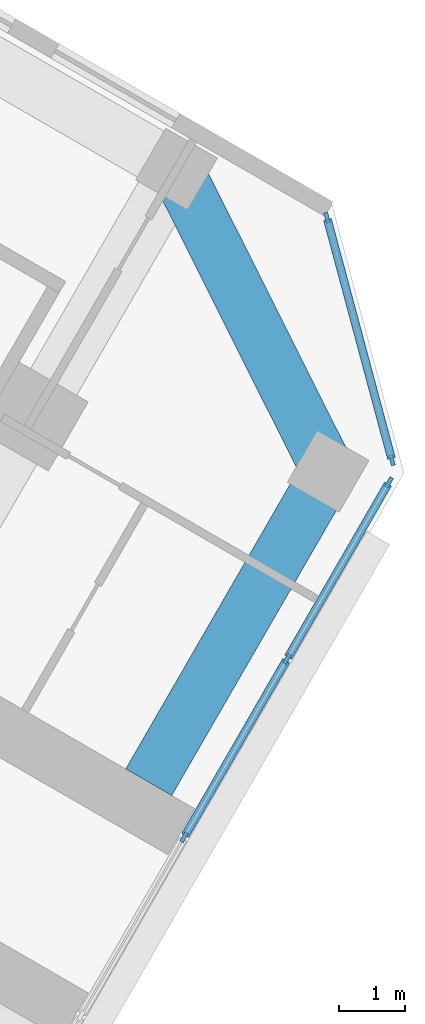
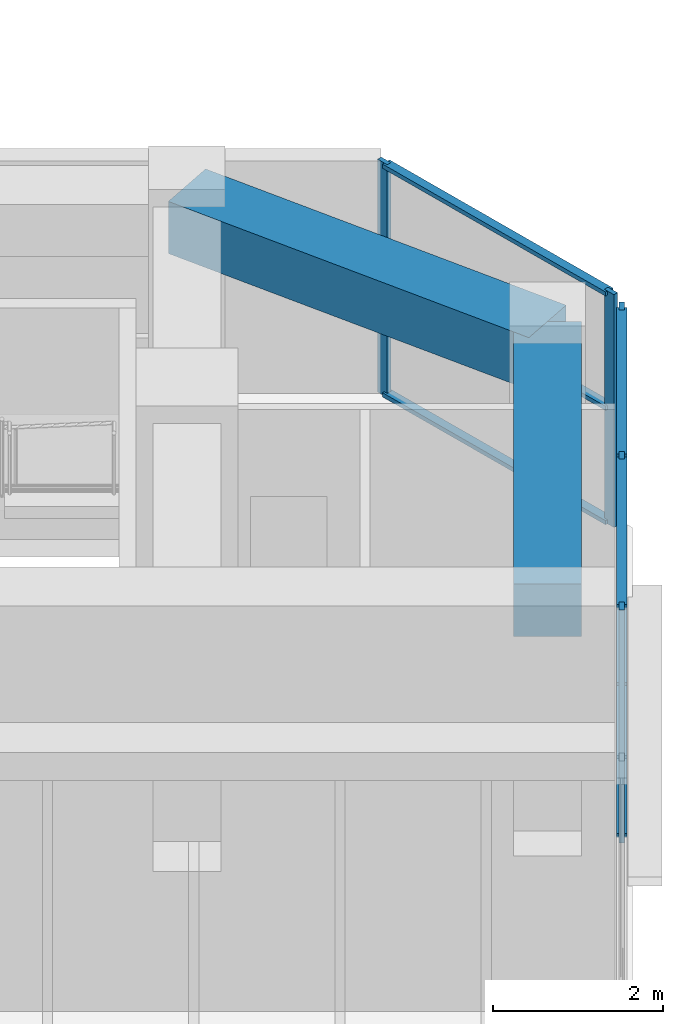
# One storey, part 8 of 20: 12 members, 2 beams, 2 elements without a shape of their own.
"""IFC4 building model written with IfcOpenShell, lengths in metres."""

from ifc_helpers import new_model, si_unit, direction, frame, origin, origin_2d, place, context, subcontext, project, spatial, rectangle, extrude, material, material_profile, profile_set, type_object, element, aggregate, save


model = new_model("IFC4")

# Units and contexts
model_context = context("Model", 3, precision=1e-05, world=origin(), true_north=direction((0.0, 1.0)))
body_context = subcontext(model_context, "Body", "Model", "MODEL_VIEW")
ifc_project = project(units=[si_unit("LENGTHUNIT", "METRE"), si_unit("AREAUNIT", "SQUARE_METRE"), si_unit("VOLUMEUNIT", "CUBIC_METRE"), si_unit("PLANEANGLEUNIT", "RADIAN"), si_unit("MASSUNIT", "GRAM", prefix="KILO")], contexts=[model_context])

# Site, building, storey
site_placement = place(None, origin())
site = spatial("IfcSite", under=ifc_project, at=site_placement, CompositionType="ELEMENT")
building_placement = place(site_placement, origin())
building = spatial("IfcBuilding", under=site, at=building_placement, Name="Kosmar Iwan School Tower", CompositionType="ELEMENT")
storey_placement = place(building_placement, frame((0.0, 0.0, 179.60009765625)))
storey = spatial("IfcBuildingStorey", under=building, at=storey_placement, Name="L45", CompositionType="ELEMENT", Elevation=179.60009765625)

# Curtain wall, members
ifc_material_1 = material(Name="Dark glass in black aluminium frame", Category="aluminium")
curtain_wall_type_1 = type_object("IfcCurtainWallType", Name="Tower curtain wall dark glass", PredefinedType="USERDEFINED", material=ifc_material_1)
curtain_wall_1_placement = place(storey_placement, origin())
curtain_wall_1 = element("IfcCurtainWall", 1, at=curtain_wall_1_placement, inside=storey, type_object=curtain_wall_type_1, Name="Curtain wall L45-F03", ObjectType="UNITISED CURTAIN WALL", PredefinedType="USERDEFINED")
ifc_material_2 = material(Name="Black anodised aluminium", Category="aluminium")
ifc_material_profile_1 = material_profile(ifc_material_2, rectangle(XDim=0.06005859375, YDim=0.159912109375, at=origin_2d()), Name="MULLION 60x160")
ifc_profile_set_1 = profile_set([ifc_material_profile_1], Name="Black anodised aluminium")
member_type_1 = type_object("IfcMemberType", Name="Mullion 60x160", PredefinedType="MULLION", material=ifc_profile_set_1)
member_1_placement = place(storey_placement, frame((30.631103515625, -15.8955078125, 0.0), z_axis=(0.0, 0.0, 1.0), x_axis=(-0.866025405329, 0.499999997325, 0.0)))
member_1 = element("IfcMember", 2, at=member_1_placement, type_object=member_type_1, Name="CW1 mullion 4", PredefinedType="MULLION", context=body_context, shape_type="SweptSolid", body=[
    extrude(rectangle(XDim=0.06005859375, YDim=0.159912109375, at=origin_2d()), origin(), (0.0, 0.0, 1.0), 3.349853515625),
])
member_2_placement = place(storey_placement, frame((32.1806640625, -13.21142578125, 0.0), z_axis=(0.0, 0.0, 1.0), x_axis=(-0.866025405329, 0.499999997325, 0.0)))
member_2 = element("IfcMember", 3, at=member_2_placement, type_object=member_type_1, Name="CW1 mullion 5", PredefinedType="MULLION", context=body_context, shape_type="SweptSolid", body=[
    extrude(rectangle(XDim=0.06005859375, YDim=0.159912109375, at=origin_2d()), origin(), (0.0, 0.0, 1.0), 3.349853515625),
])
member_3_placement = place(storey_placement, frame((33.71533203125, -10.55322265625, 0.0), z_axis=(0.0, 0.0, 1.0), x_axis=(-0.866025405329, 0.499999997325, 0.0)))
member_3 = element("IfcMember", 4, at=member_3_placement, type_object=member_type_1, Name="CW1 mullion 6", PredefinedType="MULLION", context=body_context, shape_type="SweptSolid", body=[
    extrude(rectangle(XDim=0.06005859375, YDim=0.159912109375, at=origin_2d()), origin(), (0.0, 0.0, 1.0), 3.349853515625),
])

ifc_material_3 = material(Name="Dark glass in black aluminium frame", Category="aluminium")
curtain_wall_type_2 = type_object("IfcCurtainWallType", Name="Chamfer curtain wall dark glass", PredefinedType="USERDEFINED", material=ifc_material_3)
curtain_wall_2_placement = place(storey_placement, origin())
curtain_wall_2 = element("IfcCurtainWall", 5, at=curtain_wall_2_placement, inside=storey, type_object=curtain_wall_type_2, Name="Curtain wall L45-F04", ObjectType="FACETED CURTAIN WALL", PredefinedType="USERDEFINED")
member_4_placement = place(storey_placement, frame((33.7587890625, -10.2236328125, 0.0), z_axis=(0.0, 0.0, 1.0), x_axis=(-0.965925875495, -0.258818861462, 0.0)))
member_4 = element("IfcMember", 6, at=member_4_placement, type_object=member_type_1, Name="CW2 mullion 1", PredefinedType="MULLION", context=body_context, shape_type="SweptSolid", body=[
    extrude(rectangle(XDim=0.06005859375, YDim=0.159912109375, at=origin_2d()), origin(), (0.0, 0.0, 1.0), 3.349853515625),
])
member_5_placement = place(storey_placement, frame((32.78076171875, -6.5732421875, 0.0), z_axis=(0.0, 0.0, 1.0), x_axis=(-0.965925875495, -0.258818861462, 0.0)))
member_5 = element("IfcMember", 7, at=member_5_placement, type_object=member_type_1, Name="CW2 mullion 2", PredefinedType="MULLION", context=body_context, shape_type="SweptSolid", body=[
    extrude(rectangle(XDim=0.06005859375, YDim=0.159912109375, at=origin_2d()), origin(), (0.0, 0.0, 1.0), 3.349853515625),
])

# Beams
ifc_material_4 = material(Name="Concrete C50/60", Category="concrete")
ifc_material_profile_2 = material_profile(ifc_material_4, rectangle(XDim=0.800048828125, YDim=0.75, at=origin_2d()), Name="RC 800x750")
ifc_profile_set_2 = profile_set([ifc_material_profile_2], Name="Concrete C50/60")
beam_type = type_object("IfcBeamType", Name="RC tip beam 800x750", PredefinedType="BEAM", material=ifc_profile_set_2)
beam_1_placement = place(storey_placement, frame((30.517822265625, -5.841552734375, 2.974853515625), z_axis=(0.44809604203, -0.893985423325, 0.0), x_axis=(0.893985423325, 0.44809604203, 0.0)))
element("IfcBeam", 8, at=beam_1_placement, inside=storey, type_object=beam_type, Name="Tip beam CL", PredefinedType="BEAM", context=body_context, shape_type="SweptSolid", body=[
    extrude(rectangle(XDim=0.800048828125, YDim=0.75, at=origin_2d()), origin(), (0.0, 0.0, 1.0), 5.08935546875),
])
beam_2_placement = place(storey_placement, frame((32.79833984375, -10.391357421875, 2.974853515625), z_axis=(-0.499995103361, -0.866028230842, 0.0), x_axis=(0.866028230842, -0.499995103361, 0.0)))
element("IfcBeam", 9, at=beam_2_placement, inside=storey, type_object=beam_type, Name="Tip beam CL to corridor wall", PredefinedType="BEAM", context=body_context, shape_type="SweptSolid", body=[
    extrude(rectangle(XDim=0.800048828125, YDim=0.75, at=origin_2d()), origin(), (0.0, 0.0, 1.0), 5.39990234375),
])

# Member
ifc_material_5 = material(Name="Black anodised aluminium", Category="aluminium")
ifc_material_profile_3 = material_profile(ifc_material_5, rectangle(XDim=0.1201171875, YDim=0.06005859375, at=origin_2d()), Name="TRANSOM 60x120")
ifc_profile_set_3 = profile_set([ifc_material_profile_3], Name="Black anodised aluminium")
member_type_2 = type_object("IfcMemberType", Name="Transom 60x120", PredefinedType="USERDEFINED", material=ifc_profile_set_3)
member_6_placement = place(storey_placement, frame((30.64599609375, -15.869384765625, 0.02978515625), z_axis=(0.500035348339, 0.866004994449, 0.0), x_axis=(-0.866004994449, 0.500035348339, 0.0)))
member_6 = element("IfcMember", 10, at=member_6_placement, type_object=member_type_2, Name="CW1 transom 4.1", ObjectType="TRANSOM", PredefinedType="USERDEFINED", context=body_context, shape_type="SweptSolid", body=[
    extrude(rectangle(XDim=0.1201171875, YDim=0.06005859375, at=origin_2d()), origin(), (0.0, 0.0, 1.0), 3.039306640625),
])

member_7_placement = place(storey_placement, frame((30.64599609375, -15.869384765625, 3.31982421875), z_axis=(0.500035348339, 0.866004994449, 0.0), x_axis=(-0.866004994449, 0.500035348339, 0.0)))
member_7 = element("IfcMember", 11, at=member_7_placement, type_object=member_type_2, Name="CW1 transom 4.2", ObjectType="TRANSOM", PredefinedType="USERDEFINED", context=body_context, shape_type="SweptSolid", body=[
    extrude(rectangle(XDim=0.1201171875, YDim=0.06005859375, at=origin_2d()), origin(), (0.0, 0.0, 1.0), 3.039306640625),
])

member_8_placement = place(storey_placement, frame((32.19580078125, -13.185302734375, 0.02978515625), z_axis=(0.500022102064, 0.866012642776, 0.0), x_axis=(-0.866012642776, 0.500022102064, 0.0)))
member_8 = element("IfcMember", 12, at=member_8_placement, type_object=member_type_2, Name="CW1 transom 5.1", ObjectType="TRANSOM", PredefinedType="USERDEFINED", context=body_context, shape_type="SweptSolid", body=[
    extrude(rectangle(XDim=0.1201171875, YDim=0.06005859375, at=origin_2d()), origin(), (0.0, 0.0, 1.0), 3.009033203125),
])

member_9_placement = place(storey_placement, frame((32.19580078125, -13.185302734375, 3.31982421875), z_axis=(0.500022102064, 0.866012642776, 0.0), x_axis=(-0.866012642776, 0.500022102064, 0.0)))
member_9 = element("IfcMember", 13, at=member_9_placement, type_object=member_type_2, Name="CW1 transom 5.2", ObjectType="TRANSOM", PredefinedType="USERDEFINED", context=body_context, shape_type="SweptSolid", body=[
    extrude(rectangle(XDim=0.1201171875, YDim=0.06005859375, at=origin_2d()), origin(), (0.0, 0.0, 1.0), 3.009033203125),
])

aggregate(curtain_wall_1, [member_1, member_2, member_3, member_6, member_7, member_8, member_9])

member_10_placement = place(storey_placement, frame((33.7509765625, -10.194580078125, 0.02978515625), z_axis=(-0.258843273983, 0.965919333854, 0.0), x_axis=(-0.965919333854, -0.258843273983, 0.0)))
member_10 = element("IfcMember", 14, at=member_10_placement, type_object=member_type_2, Name="CW2 transom 1.1", ObjectType="TRANSOM", PredefinedType="USERDEFINED", context=body_context, shape_type="SweptSolid", body=[
    extrude(rectangle(XDim=0.1201171875, YDim=0.06005859375, at=origin_2d()), origin(), (0.0, 0.0, 1.0), 3.718994140625),
])

member_11_placement = place(storey_placement, frame((33.7509765625, -10.194580078125, 1.6748046875), z_axis=(-0.258843273983, 0.965919333854, 0.0), x_axis=(-0.965919333854, -0.258843273983, 0.0)))
member_11 = element("IfcMember", 15, at=member_11_placement, type_object=member_type_2, Name="CW2 transom 1.2", ObjectType="TRANSOM", PredefinedType="USERDEFINED", context=body_context, shape_type="SweptSolid", body=[
    extrude(rectangle(XDim=0.1201171875, YDim=0.06005859375, at=origin_2d()), origin(), (0.0, 0.0, 1.0), 3.718994140625),
])

member_12_placement = place(storey_placement, frame((33.7509765625, -10.194580078125, 3.31982421875), z_axis=(-0.258843273983, 0.965919333854, 0.0), x_axis=(-0.965919333854, -0.258843273983, 0.0)))
member_12 = element("IfcMember", 16, at=member_12_placement, type_object=member_type_2, Name="CW2 transom 1.3", ObjectType="TRANSOM", PredefinedType="USERDEFINED", context=body_context, shape_type="SweptSolid", body=[
    extrude(rectangle(XDim=0.1201171875, YDim=0.06005859375, at=origin_2d()), origin(), (0.0, 0.0, 1.0), 3.718994140625),
])

aggregate(curtain_wall_2, [member_4, member_5, member_10, member_11, member_12])

save(model, "model.ifc")
